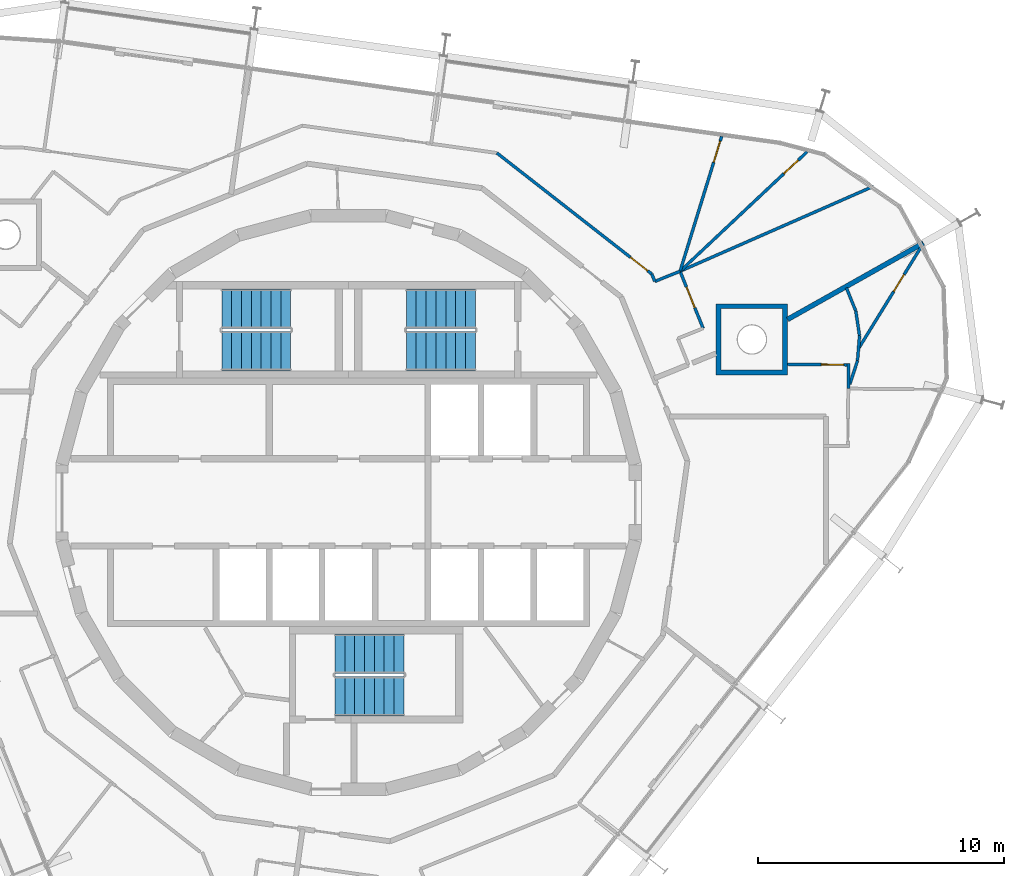
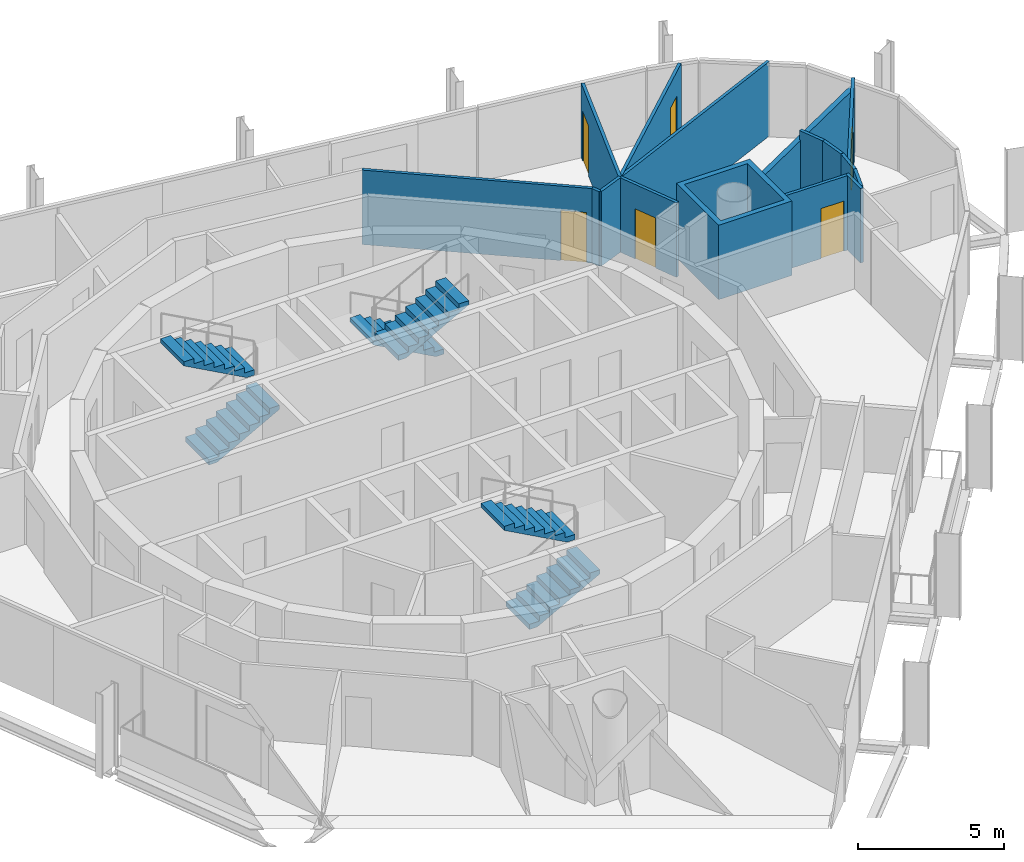
# One storey, part 14 of 15: 16 walls, 6 doors, 6 stair flights, 6 openings, 3 elements without a shape of their own.
"""IFC4 building model written with IfcOpenShell, lengths in metres."""

from ifc_helpers import new_model, si_unit, direction, frame, frame_2d, origin, place, context, subcontext, project, spatial, polyline, rectangle, outline, extrude, material, layer, layer_set, type_object, element, fill, aggregate, save


model = new_model("IFC4")

# Units and contexts
model_context = context("Model", 3, precision=1e-05, world=origin(), true_north=direction((0.0, 1.0)))
body_context = subcontext(model_context, "Body", "Model", "MODEL_VIEW")
ifc_project = project(units=[si_unit("LENGTHUNIT", "METRE"), si_unit("AREAUNIT", "SQUARE_METRE"), si_unit("VOLUMEUNIT", "CUBIC_METRE"), si_unit("PLANEANGLEUNIT", "RADIAN"), si_unit("MASSUNIT", "GRAM", prefix="KILO")], contexts=[model_context])

# Site, building, storey
site_placement = place(None, origin())
site = spatial("IfcSite", under=ifc_project, at=site_placement, CompositionType="ELEMENT")
building_placement = place(site_placement, origin())
building = spatial("IfcBuilding", under=site, at=building_placement, Name="Spindle Arch Residences", CompositionType="ELEMENT")
storey_placement = place(building_placement, frame((0.0, 0.0, 336.5)))
storey = spatial("IfcBuildingStorey", under=building, at=storey_placement, Name="L86", CompositionType="ELEMENT", Elevation=336.5)

# Wall
ifc_material_1 = material(Name="Plasterboard on steel studs", Category="steel")
ifc_layer_1 = layer(ifc_material_1, 0.1201171875)
ifc_layer_set_1 = layer_set([ifc_layer_1], Name="Flat partition 120")
wall_type_1 = type_object("IfcWallType", Name="Flat partition 120", PredefinedType="PARTITIONING", material=ifc_layer_set_1)
wall_1_placement = place(storey_placement, frame((20.30615234375, 4.638671875, 0.0), z_axis=(0.0, 0.0, 1.0), x_axis=(0.008906724211, 0.999960334345, 0.0)))
element("IfcWall", 1, at=wall_1_placement, inside=storey, type_object=wall_type_1, Name="Flat partition R9A1-W032", PredefinedType="PARTITIONING", context=body_context, shape_type="SweptSolid", body=[
    extrude(rectangle(XDim=1.01416015625, YDim=0.1201171875, at=frame_2d((0.507080078125, 0.0))), origin(), (0.0, 0.0, 1.0), 3.1201171875),
])

# Wall, opening, door
wall_2_placement = place(storey_placement, frame((20.314697265625, 5.593017578125, 0.0), z_axis=(0.0, 0.0, 1.0), x_axis=(-0.999960597409, 0.008877140833, 0.0)))
wall_2 = element("IfcWall", 2, at=wall_2_placement, inside=storey, type_object=wall_type_1, Name="Flat partition R9A1-W033", PredefinedType="PARTITIONING", context=body_context, shape_type="SweptSolid", body=[
    extrude(rectangle(XDim=2.47509765625, YDim=0.1201171875, at=frame_2d((1.237548828125, 0.0))), origin(), (0.0, 0.0, 1.0), 3.1201171875),
])
opening_1_placement = place(wall_2_placement, frame((0.199951171875, 0.0, 0.0)))
opening_1 = element("IfcOpeningElement", 3, at=opening_1_placement, cuts=wall_2, Name="Opening R9A1-ID02", PredefinedType="OPENING", context=body_context, shape_type="SweptSolid", body=[
    extrude(rectangle(XDim=0.89990234375, YDim=2.10009765625, at=frame_2d((0.449951171875, 1.050048828125))), frame((0.0, 0.070068359375, 0.0), z_axis=(0.0, -1.0, 0.0), x_axis=(1.0, 0.0, 0.0)), (0.0, 0.0, 1.0), 0.14013671875),
])
ifc_material_2 = material(Name="Timber door set", Category="wood")
door_type_1 = type_object("IfcDoorType", Name="Room door 900x2100", OperationType="NOTDEFINED", PredefinedType="DOOR", material=ifc_material_2)
door_1_placement = place(opening_1_placement, origin())
door_1 = element("IfcDoor", 4, at=door_1_placement, inside=storey, type_object=door_type_1, Name="Room door R9A1-ID02", OperationType="SINGLE_SWING_RIGHT", OverallHeight=2.10009765625, OverallWidth=0.89990234375, PredefinedType="DOOR", context=body_context, shape_type="SweptSolid", body=[
    extrude(rectangle(XDim=0.89990234375, YDim=2.10009765625, at=frame_2d((0.449951171875, 1.050048828125))), frame((0.0, 0.02490234375, 0.0), z_axis=(0.0, -1.0, 0.0), x_axis=(1.0, 0.0, 0.0)), (0.0, 0.0, 1.0), 0.050048828125),
])
fill(opening_1, door_1)

# Walls
wall_3_placement = place(storey_placement, frame((20.762451171875, 6.774658203125, 0.0), z_axis=(0.0, 0.0, 1.0), x_axis=(-0.08121587, -0.996696534789, 0.0)))
element("IfcWall", 5, at=wall_3_placement, inside=storey, type_object=wall_type_1, Name="Flat partition R9A1-W035", PredefinedType="PARTITIONING", context=body_context, shape_type="SweptSolid", body=[
    extrude(rectangle(XDim=1.01611328125, YDim=0.1201171875, at=frame_2d((0.508056640625, 0.0))), origin(), (0.0, 0.0, 1.0), 3.1201171875),
])
wall_4_placement = place(storey_placement, frame((20.679931640625, 5.761962890625, 0.0), z_axis=(0.0, 0.0, 1.0), x_axis=(-0.30908063779, -0.951035834942, 0.0)))
element("IfcWall", 6, at=wall_4_placement, inside=storey, type_object=wall_type_1, Name="Flat partition R9A1-W036", PredefinedType="PARTITIONING", context=body_context, shape_type="SweptSolid", body=[
    extrude(rectangle(XDim=1.015869140625, YDim=0.1201171875, at=frame_2d((0.5078125, 0.0))), origin(), (0.0, 0.0, 1.0), 3.1201171875),
])

# Wall, opening, door
wall_5_placement = place(storey_placement, frame((23.357421875, 10.532470703125, 0.0), z_axis=(0.0, 0.0, 1.0), x_axis=(-0.524476563806, -0.851424884542, 0.0)))
wall_5 = element("IfcWall", 7, at=wall_5_placement, inside=storey, type_object=wall_type_1, Name="Flat partition R9A1-W037", PredefinedType="PARTITIONING", context=body_context, shape_type="SweptSolid", body=[
    extrude(rectangle(XDim=5.029296875, YDim=0.1201171875, at=frame_2d((2.5146484375, 0.0))), origin(), (0.0, 0.0, 1.0), 3.1201171875),
])
opening_2_placement = place(wall_5_placement, frame((1.5, 0.0, 0.0)))
opening_2 = element("IfcOpeningElement", 8, at=opening_2_placement, cuts=wall_5, Name="Opening R9A1-BD01", PredefinedType="OPENING", context=body_context, shape_type="SweptSolid", body=[
    extrude(rectangle(XDim=0.800048828125, YDim=2.10009765625, at=frame_2d((0.39990234375, 1.050048828125))), frame((0.0, 0.070068359375, 0.0), z_axis=(0.0, -1.0, 0.0), x_axis=(1.0, 0.0, 0.0)), (0.0, 0.0, 1.0), 0.14013671875),
])
ifc_material_3 = material(Name="Timber door set", Category="wood")
door_type_2 = type_object("IfcDoorType", Name="Bathroom door 800x2100", OperationType="NOTDEFINED", PredefinedType="DOOR", material=ifc_material_3)
door_2_placement = place(opening_2_placement, origin())
door_2 = element("IfcDoor", 9, at=door_2_placement, inside=storey, type_object=door_type_2, Name="Bathroom door R9A1-BD01", OperationType="SINGLE_SWING_RIGHT", OverallHeight=2.10009765625, OverallWidth=0.800048828125, PredefinedType="DOOR", context=body_context, shape_type="SweptSolid", body=[
    extrude(rectangle(XDim=0.800048828125, YDim=2.10009765625, at=frame_2d((0.39990234375, 1.050048828125))), frame((0.0, 0.02490234375, 0.0), z_axis=(0.0, -1.0, 0.0), x_axis=(1.0, 0.0, 0.0)), (0.0, 0.0, 1.0), 0.050048828125),
])
fill(opening_2, door_2)

# Walls
wall_6_placement = place(storey_placement, frame((20.762451171875, 6.774658203125, 0.0), z_axis=(0.0, 0.0, 1.0), x_axis=(-0.150702440861, 0.988579169474, 0.0)))
element("IfcWall", 10, at=wall_6_placement, inside=storey, type_object=wall_type_1, Name="Flat partition R9A1-W038", PredefinedType="PARTITIONING", context=body_context, shape_type="SweptSolid", body=[
    extrude(rectangle(XDim=1.015869140625, YDim=0.1201171875, at=frame_2d((0.5078125, 0.0))), origin(), (0.0, 0.0, 1.0), 3.1201171875),
])
wall_7_placement = place(storey_placement, frame((20.609375, 7.77880859375, 0.0), z_axis=(0.0, 0.0, 1.0), x_axis=(-0.374371668856, 0.927278735633, 0.0)))
element("IfcWall", 11, at=wall_7_placement, inside=storey, type_object=wall_type_1, Name="Flat partition R9A1-W039", PredefinedType="PARTITIONING", context=body_context, shape_type="SweptSolid", body=[
    extrude(rectangle(XDim=1.01611328125, YDim=0.1201171875, at=frame_2d((0.508056640625, 0.0))), origin(), (0.0, 0.0, 1.0), 3.1201171875),
])

# Wall, opening, door
wall_8_placement = place(storey_placement, frame((14.406494140625, 7.076416015625, 0.0), z_axis=(0.0, 0.0, 1.0), x_axis=(-0.374503415005, 0.927225534673, 0.0)))
wall_8 = element("IfcWall", 12, at=wall_8_placement, inside=storey, type_object=wall_type_1, Name="Flat partition R9A1-W042", PredefinedType="PARTITIONING", context=body_context, shape_type="SweptSolid", body=[
    extrude(rectangle(XDim=2.5, YDim=0.1201171875, at=frame_2d((1.25, 0.0))), origin(), (0.0, 0.0, 1.0), 3.1201171875),
])
opening_3_placement = place(wall_8_placement, frame((0.89990234375, 0.0, 0.0)))
opening_3 = element("IfcOpeningElement", 13, at=opening_3_placement, cuts=wall_8, Name="Opening R9A1-ID04", PredefinedType="OPENING", context=body_context, shape_type="SweptSolid", body=[
    extrude(rectangle(XDim=0.89990234375, YDim=2.10009765625, at=frame_2d((0.449951171875, 1.050048828125))), frame((0.0, 0.070068359375, 0.0), z_axis=(0.0, -1.0, 0.0), x_axis=(1.0, 0.0, 0.0)), (0.0, 0.0, 1.0), 0.14013671875),
])
door_3_placement = place(opening_3_placement, origin())
door_3 = element("IfcDoor", 14, at=door_3_placement, inside=storey, type_object=door_type_1, Name="Room door R9A1-ID04", OperationType="SINGLE_SWING_LEFT", OverallHeight=2.10009765625, OverallWidth=0.89990234375, PredefinedType="DOOR", context=body_context, shape_type="SweptSolid", body=[
    extrude(rectangle(XDim=0.89990234375, YDim=2.10009765625, at=frame_2d((0.449951171875, 1.050048828125))), frame((0.0, 0.02490234375, 0.0), z_axis=(0.0, -1.0, 0.0), x_axis=(1.0, 0.0, 0.0)), (0.0, 0.0, 1.0), 0.050048828125),
])
fill(opening_3, door_3)

# Walls
wall_9_placement = place(storey_placement, frame((13.47021484375, 9.39453125, 0.0), z_axis=(0.0, 0.0, 1.0), x_axis=(-0.927180061276, -0.374615982003, 0.0)))
element("IfcWall", 15, at=wall_9_placement, inside=storey, type_object=wall_type_1, Name="Flat partition R9A1-W043", PredefinedType="PARTITIONING", context=body_context, shape_type="SweptSolid", body=[
    extrude(rectangle(XDim=1.108642578125, YDim=0.1201171875, at=frame_2d((0.55419921875, 0.0))), origin(), (0.0, 0.0, 1.0), 3.1201171875),
])
wall_10_placement = place(storey_placement, frame((12.4423828125, 8.979248046875, 0.0), z_axis=(0.0, 0.0, 1.0), x_axis=(-0.374979656603, 0.927033039936, 0.0)))
element("IfcWall", 16, at=wall_10_placement, inside=storey, type_object=wall_type_1, Name="Flat partition R9A1-W044", PredefinedType="PARTITIONING", context=body_context, shape_type="SweptSolid", body=[
    extrude(rectangle(XDim=0.328125, YDim=0.1201171875, at=frame_2d((0.1640625, 0.0))), origin(), (0.0, 0.0, 1.0), 3.1201171875),
])

# Wall, opening, door
wall_11_placement = place(storey_placement, frame((12.3193359375, 9.283447265625, 0.0), z_axis=(0.0, 0.0, 1.0), x_axis=(-0.788000268464, 0.61567489546, 0.0)))
wall_11 = element("IfcWall", 17, at=wall_11_placement, inside=storey, type_object=wall_type_1, Name="Flat partition R9A1-W045", PredefinedType="PARTITIONING", context=body_context, shape_type="SweptSolid", body=[
    extrude(rectangle(XDim=7.98486328125, YDim=0.1201171875, at=frame_2d((3.992431640625, 0.0))), origin(), (0.0, 0.0, 1.0), 3.1201171875),
])
opening_4_placement = place(wall_11_placement, frame((0.199951171875, 0.0, 0.0)))
opening_4 = element("IfcOpeningElement", 18, at=opening_4_placement, cuts=wall_11, Name="Opening R9A1-ID05", PredefinedType="OPENING", context=body_context, shape_type="SweptSolid", body=[
    extrude(rectangle(XDim=0.89990234375, YDim=2.10009765625, at=frame_2d((0.449951171875, 1.050048828125))), frame((0.0, 0.070068359375, 0.0), z_axis=(0.0, -1.0, 0.0), x_axis=(1.0, 0.0, 0.0)), (0.0, 0.0, 1.0), 0.14013671875),
])
door_4_placement = place(opening_4_placement, origin())
door_4 = element("IfcDoor", 19, at=door_4_placement, inside=storey, type_object=door_type_1, Name="Room door R9A1-ID05", OperationType="SINGLE_SWING_LEFT", OverallHeight=2.10009765625, OverallWidth=0.89990234375, PredefinedType="DOOR", context=body_context, shape_type="SweptSolid", body=[
    extrude(rectangle(XDim=0.89990234375, YDim=2.10009765625, at=frame_2d((0.449951171875, 1.050048828125))), frame((0.0, 0.02490234375, 0.0), z_axis=(0.0, -1.0, 0.0), x_axis=(1.0, 0.0, 0.0)), (0.0, 0.0, 1.0), 0.050048828125),
])
fill(opening_4, door_4)

# Wall
wall_12_placement = place(storey_placement, frame((21.33837890625, 12.851318359375, 0.0), z_axis=(0.0, 0.0, 1.0), x_axis=(-0.915538158579, -0.402231127818, 0.0)))
element("IfcWall", 20, at=wall_12_placement, inside=storey, type_object=wall_type_1, Name="Flat partition R9A1-W048", PredefinedType="PARTITIONING", context=body_context, shape_type="SweptSolid", body=[
    extrude(rectangle(XDim=8.593994140625, YDim=0.1201171875, at=frame_2d((4.296875, 0.0))), origin(), (0.0, 0.0, 1.0), 3.1201171875),
])

# Wall, opening, door
wall_13_placement = place(storey_placement, frame((18.63330078125, 14.248291015625, 0.0), z_axis=(0.0, 0.0, 1.0), x_axis=(-0.728595344908, -0.684944394369, 0.0)))
wall_13 = element("IfcWall", 21, at=wall_13_placement, inside=storey, type_object=wall_type_1, Name="Flat partition R9A1-W049", PredefinedType="PARTITIONING", context=body_context, shape_type="SweptSolid", body=[
    extrude(rectangle(XDim=7.08642578125, YDim=0.1201171875, at=frame_2d((3.543212890625, 0.0))), origin(), (0.0, 0.0, 1.0), 3.1201171875),
])
opening_5_placement = place(wall_13_placement, frame((0.5, 0.0, 0.0)))
opening_5 = element("IfcOpeningElement", 22, at=opening_5_placement, cuts=wall_13, Name="Opening R9A1-BD02", PredefinedType="OPENING", context=body_context, shape_type="SweptSolid", body=[
    extrude(rectangle(XDim=0.800048828125, YDim=2.10009765625, at=frame_2d((0.39990234375, 1.050048828125))), frame((0.0, 0.070068359375, 0.0), z_axis=(0.0, -1.0, 0.0), x_axis=(1.0, 0.0, 0.0)), (0.0, 0.0, 1.0), 0.14013671875),
])
door_5_placement = place(opening_5_placement, origin())
door_5 = element("IfcDoor", 23, at=door_5_placement, inside=storey, type_object=door_type_2, Name="Bathroom door R9A1-BD02", OperationType="SINGLE_SWING_LEFT", OverallHeight=2.10009765625, OverallWidth=0.800048828125, PredefinedType="DOOR", context=body_context, shape_type="SweptSolid", body=[
    extrude(rectangle(XDim=0.800048828125, YDim=2.10009765625, at=frame_2d((0.39990234375, 1.050048828125))), frame((0.0, 0.02490234375, 0.0), z_axis=(0.0, -1.0, 0.0), x_axis=(1.0, 0.0, 0.0)), (0.0, 0.0, 1.0), 0.050048828125),
])
fill(opening_5, door_5)

wall_14_placement = place(storey_placement, frame((15.16015625, 14.873291015625, 0.0), z_axis=(0.0, 0.0, 1.0), x_axis=(-0.294750051258, -0.955574386055, 0.0)))
wall_14 = element("IfcWall", 24, at=wall_14_placement, inside=storey, type_object=wall_type_1, Name="Flat partition R9A1-W050", PredefinedType="PARTITIONING", context=body_context, shape_type="SweptSolid", body=[
    extrude(rectangle(XDim=5.7333984375, YDim=0.1201171875, at=frame_2d((2.86669921875, 0.0))), origin(), (0.0, 0.0, 1.0), 3.1201171875),
])
opening_6_placement = place(wall_14_placement, frame((0.199951171875, 0.0, 0.0)))
opening_6 = element("IfcOpeningElement", 25, at=opening_6_placement, cuts=wall_14, Name="Opening R9A1-ID07", PredefinedType="OPENING", context=body_context, shape_type="SweptSolid", body=[
    extrude(rectangle(XDim=0.89990234375, YDim=2.10009765625, at=frame_2d((0.449951171875, 1.050048828125))), frame((0.0, 0.070068359375, 0.0), z_axis=(0.0, -1.0, 0.0), x_axis=(1.0, 0.0, 0.0)), (0.0, 0.0, 1.0), 0.14013671875),
])
door_6_placement = place(opening_6_placement, origin())
door_6 = element("IfcDoor", 26, at=door_6_placement, inside=storey, type_object=door_type_1, Name="Room door R9A1-ID07", OperationType="SINGLE_SWING_LEFT", OverallHeight=2.10009765625, OverallWidth=0.89990234375, PredefinedType="DOOR", context=body_context, shape_type="SweptSolid", body=[
    extrude(rectangle(XDim=0.89990234375, YDim=2.10009765625, at=frame_2d((0.449951171875, 1.050048828125))), frame((0.0, 0.02490234375, 0.0), z_axis=(0.0, -1.0, 0.0), x_axis=(1.0, 0.0, 0.0)), (0.0, 0.0, 1.0), 0.050048828125),
])
fill(opening_6, door_6)

# Walls
ifc_material_4 = material(Name="Calcium silicate block, plastered")
ifc_layer_2 = layer(ifc_material_4, 0.199951171875)
ifc_layer_set_2 = layer_set([ifc_layer_2], Name="Flat party wall 200 under beam 2730")
wall_type_2 = type_object("IfcWallType", Name="Flat party wall 200 under beam 2730", PredefinedType="STANDARD", material=ifc_layer_set_2)
wall_15_placement = place(storey_placement, frame((23.354248046875, 10.536865234375, 0.0), z_axis=(0.0, 0.0, 1.0), x_axis=(-0.871719790551, -0.490004700754, 0.0)))
element("IfcWall", 27, at=wall_15_placement, inside=storey, type_object=wall_type_2, Name="Flat party wall R9A1-W024", PredefinedType="STANDARD", context=body_context, shape_type="SweptSolid", body=[
    extrude(rectangle(XDim=6.326171875, YDim=0.199951171875, at=frame_2d((3.1630859375, 0.0))), origin(), (0.0, 0.0, 1.0), 2.72998046875),
])
ifc_material_5 = material(Name="Calcium silicate block, plastered")
ifc_layer_3 = layer(ifc_material_5, 0.199951171875)
ifc_layer_set_3 = layer_set([ifc_layer_3], Name="Mega-column casing wall 200")
wall_type_3 = type_object("IfcWallType", Name="Mega-column casing wall 200", PredefinedType="STANDARD", material=ifc_layer_set_3)
wall_16_placement = place(storey_placement, origin())
element("IfcWall", 28, at=wall_16_placement, inside=storey, type_object=wall_type_3, Name="Mega-column casing wall R9A1-WC01", PredefinedType="STANDARD", context=body_context, shape_type="SweptSolid", body=[
    extrude(outline(polyline([(17.839599609375, 8.072021484375), (17.839599609375, 5.171875), (14.939697265625, 5.171875), (14.939697265625, 8.072021484375), (17.839599609375, 8.072021484375)]), holes=[polyline([(15.1396484375, 5.371826171875), (17.6396484375, 5.371826171875), (17.6396484375, 7.871826171875), (15.1396484375, 7.871826171875), (15.1396484375, 5.371826171875)])]), origin(), (0.0, 0.0, 1.0), 3.1201171875),
])

# Stair, stair flights
ifc_material_6 = material(Name="Concrete C50/60", Category="concrete")
stair_type = type_object("IfcStairType", Name="Exit stair 16 risers", PredefinedType="HALF_TURN_STAIR", material=ifc_material_6)
stair_1_placement = place(storey_placement, origin())
stair_1 = element("IfcStair", 29, at=stair_1_placement, inside=storey, type_object=stair_type, Name="L86 Exit stair ST1", PredefinedType="HALF_TURN_STAIR")
ifc_material_7 = material(Name="Concrete C50/60", Category="concrete")
stair_flight_type = type_object("IfcStairFlightType", Name="Exit stair flight", PredefinedType="STRAIGHT", material=ifc_material_7)
stair_flight_1_placement = place(storey_placement, frame((5.14990234375, 7.8701171875, 0.0), z_axis=(0.0, 0.0, 1.0), x_axis=(-1.0, 0.0, 0.0)))
stair_flight_1 = element("IfcStairFlight", 30, at=stair_flight_1_placement, type_object=stair_flight_type, Name="ST1 flight 1", NumberOfRisers=8, NumberOfTreads=7, PredefinedType="STRAIGHT", RiserHeight=0.21875, TreadLength=0.4, context=body_context, shape_type="SweptSolid", body=[
    extrude(outline(polyline([(0.0, 0.0), (0.0, 0.21875), (0.39990234375, 0.21875), (0.39990234375, 0.4375), (0.800048828125, 0.4375), (0.800048828125, 0.65625), (1.199951171875, 0.65625), (1.199951171875, 0.875), (1.60009765625, 0.875), (1.60009765625, 1.09375), (2.0, 1.09375), (2.0, 1.3125), (2.39990234375, 1.3125), (2.39990234375, 1.53125), (2.800048828125, 1.53125), (2.800048828125, 1.75), (2.800048828125, 1.3603515625), (0.3125, 0.0), (0.0, 0.0)])), frame((0.0, 0.800048828125, 0.0), z_axis=(0.0, -1.0, 0.0), x_axis=(1.0, 0.0, 0.0)), (0.0, 0.0, 1.0), 1.60009765625),
])
stair_flight_2_placement = place(storey_placement, frame((2.35009765625, 6.14990234375, 1.75), z_axis=(0.0, 0.0, 1.0), x_axis=(1.0, 0.0, 0.0)))
stair_flight_2 = element("IfcStairFlight", 31, at=stair_flight_2_placement, type_object=stair_flight_type, Name="ST1 flight 2", NumberOfRisers=8, NumberOfTreads=7, PredefinedType="STRAIGHT", RiserHeight=0.21875, TreadLength=0.4, context=body_context, shape_type="SweptSolid", body=[
    extrude(outline(polyline([(0.0, 0.0), (0.0, 0.21875), (0.39990234375, 0.21875), (0.39990234375, 0.4375), (0.800048828125, 0.4375), (0.800048828125, 0.65625), (1.199951171875, 0.65625), (1.199951171875, 0.875), (1.60009765625, 0.875), (1.60009765625, 1.09375), (2.0, 1.09375), (2.0, 1.3125), (2.39990234375, 1.3125), (2.39990234375, 1.53125), (2.800048828125, 1.53125), (2.800048828125, 1.75), (2.800048828125, 1.3603515625), (0.3125, 0.0), (0.0, 0.0)])), frame((0.0, 0.800048828125, 0.0), z_axis=(0.0, -1.0, 0.0), x_axis=(1.0, 0.0, 0.0)), (0.0, 0.0, 1.0), 1.60009765625),
])
aggregate(stair_1, [stair_flight_1, stair_flight_2])

stair_2_placement = place(storey_placement, origin())
stair_2 = element("IfcStair", 32, at=stair_2_placement, inside=storey, type_object=stair_type, Name="L86 Exit stair ST2", PredefinedType="HALF_TURN_STAIR")
stair_flight_3_placement = place(storey_placement, frame((-5.14990234375, 6.14990234375, 0.0), z_axis=(0.0, 0.0, 1.0), x_axis=(1.0, 0.0, 0.0)))
stair_flight_3 = element("IfcStairFlight", 33, at=stair_flight_3_placement, type_object=stair_flight_type, Name="ST2 flight 1", NumberOfRisers=8, NumberOfTreads=7, PredefinedType="STRAIGHT", RiserHeight=0.21875, TreadLength=0.4, context=body_context, shape_type="SweptSolid", body=[
    extrude(outline(polyline([(0.0, 0.0), (0.0, 0.21875), (0.39990234375, 0.21875), (0.39990234375, 0.4375), (0.800048828125, 0.4375), (0.800048828125, 0.65625), (1.199951171875, 0.65625), (1.199951171875, 0.875), (1.60009765625, 0.875), (1.60009765625, 1.09375), (2.0, 1.09375), (2.0, 1.3125), (2.39990234375, 1.3125), (2.39990234375, 1.53125), (2.800048828125, 1.53125), (2.800048828125, 1.75), (2.800048828125, 1.3603515625), (0.3125, 0.0), (0.0, 0.0)])), frame((0.0, 0.800048828125, 0.0), z_axis=(0.0, -1.0, 0.0), x_axis=(1.0, 0.0, 0.0)), (0.0, 0.0, 1.0), 1.60009765625),
])
stair_flight_4_placement = place(storey_placement, frame((-2.35009765625, 7.8701171875, 1.75), z_axis=(0.0, 0.0, 1.0), x_axis=(-1.0, 0.0, 0.0)))
stair_flight_4 = element("IfcStairFlight", 34, at=stair_flight_4_placement, type_object=stair_flight_type, Name="ST2 flight 2", NumberOfRisers=8, NumberOfTreads=7, PredefinedType="STRAIGHT", RiserHeight=0.21875, TreadLength=0.4, context=body_context, shape_type="SweptSolid", body=[
    extrude(outline(polyline([(0.0, 0.0), (0.0, 0.21875), (0.39990234375, 0.21875), (0.39990234375, 0.4375), (0.800048828125, 0.4375), (0.800048828125, 0.65625), (1.199951171875, 0.65625), (1.199951171875, 0.875), (1.60009765625, 0.875), (1.60009765625, 1.09375), (2.0, 1.09375), (2.0, 1.3125), (2.39990234375, 1.3125), (2.39990234375, 1.53125), (2.800048828125, 1.53125), (2.800048828125, 1.75), (2.800048828125, 1.3603515625), (0.3125, 0.0), (0.0, 0.0)])), frame((0.0, 0.800048828125, 0.0), z_axis=(0.0, -1.0, 0.0), x_axis=(1.0, 0.0, 0.0)), (0.0, 0.0, 1.0), 1.60009765625),
])
aggregate(stair_2, [stair_flight_3, stair_flight_4])

stair_3_placement = place(storey_placement, origin())
stair_3 = element("IfcStair", 35, at=stair_3_placement, inside=storey, type_object=stair_type, Name="L86 Exit stair ST3", PredefinedType="HALF_TURN_STAIR")
stair_flight_5_placement = place(storey_placement, frame((-0.550048828125, -7.8701171875, 0.0), z_axis=(0.0, 0.0, 1.0), x_axis=(1.0, 0.0, 0.0)))
stair_flight_5 = element("IfcStairFlight", 36, at=stair_flight_5_placement, type_object=stair_flight_type, Name="ST3 flight 1", NumberOfRisers=8, NumberOfTreads=7, PredefinedType="STRAIGHT", RiserHeight=0.21875, TreadLength=0.4, context=body_context, shape_type="SweptSolid", body=[
    extrude(outline(polyline([(0.0, 0.0), (0.0, 0.21875), (0.39990234375, 0.21875), (0.39990234375, 0.4375), (0.800048828125, 0.4375), (0.800048828125, 0.65625), (1.199951171875, 0.65625), (1.199951171875, 0.875), (1.60009765625, 0.875), (1.60009765625, 1.09375), (2.0, 1.09375), (2.0, 1.3125), (2.39990234375, 1.3125), (2.39990234375, 1.53125), (2.800048828125, 1.53125), (2.800048828125, 1.75), (2.800048828125, 1.3603515625), (0.3125, 0.0), (0.0, 0.0)])), frame((0.0, 0.800048828125, 0.0), z_axis=(0.0, -1.0, 0.0), x_axis=(1.0, 0.0, 0.0)), (0.0, 0.0, 1.0), 1.60009765625),
])
stair_flight_6_placement = place(storey_placement, frame((2.25, -6.14990234375, 1.75), z_axis=(0.0, 0.0, 1.0), x_axis=(-1.0, 0.0, 0.0)))
stair_flight_6 = element("IfcStairFlight", 37, at=stair_flight_6_placement, type_object=stair_flight_type, Name="ST3 flight 2", NumberOfRisers=8, NumberOfTreads=7, PredefinedType="STRAIGHT", RiserHeight=0.21875, TreadLength=0.4, context=body_context, shape_type="SweptSolid", body=[
    extrude(outline(polyline([(0.0, 0.0), (0.0, 0.21875), (0.39990234375, 0.21875), (0.39990234375, 0.4375), (0.800048828125, 0.4375), (0.800048828125, 0.65625), (1.199951171875, 0.65625), (1.199951171875, 0.875), (1.60009765625, 0.875), (1.60009765625, 1.09375), (2.0, 1.09375), (2.0, 1.3125), (2.39990234375, 1.3125), (2.39990234375, 1.53125), (2.800048828125, 1.53125), (2.800048828125, 1.75), (2.800048828125, 1.3603515625), (0.3125, 0.0), (0.0, 0.0)])), frame((0.0, 0.800048828125, 0.0), z_axis=(0.0, -1.0, 0.0), x_axis=(1.0, 0.0, 0.0)), (0.0, 0.0, 1.0), 1.60009765625),
])
aggregate(stair_3, [stair_flight_5, stair_flight_6])

save(model, "model.ifc")
